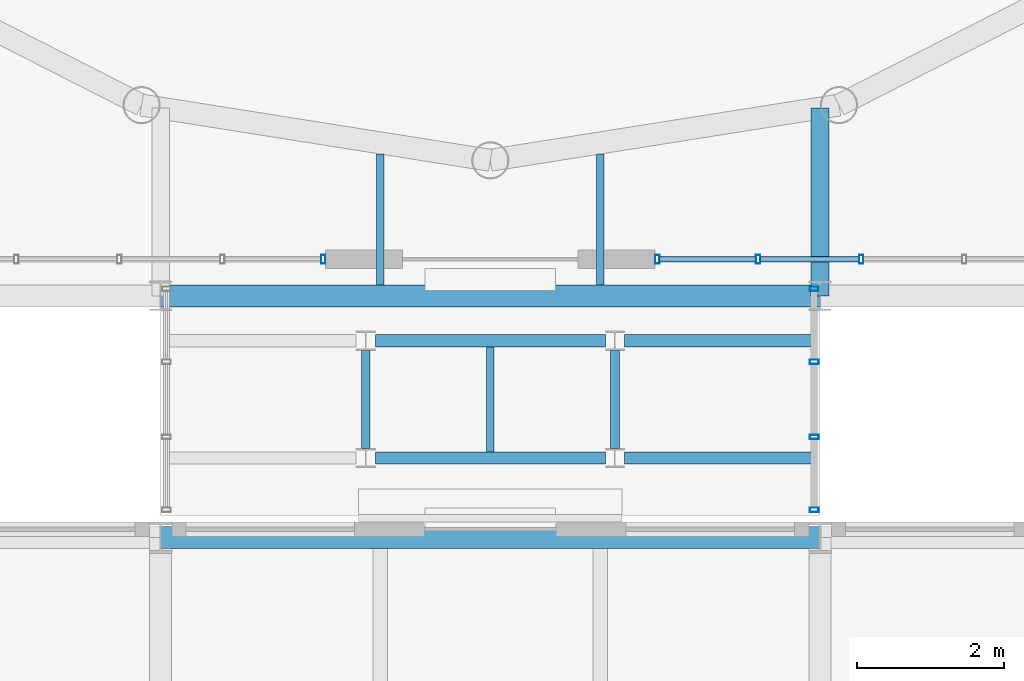
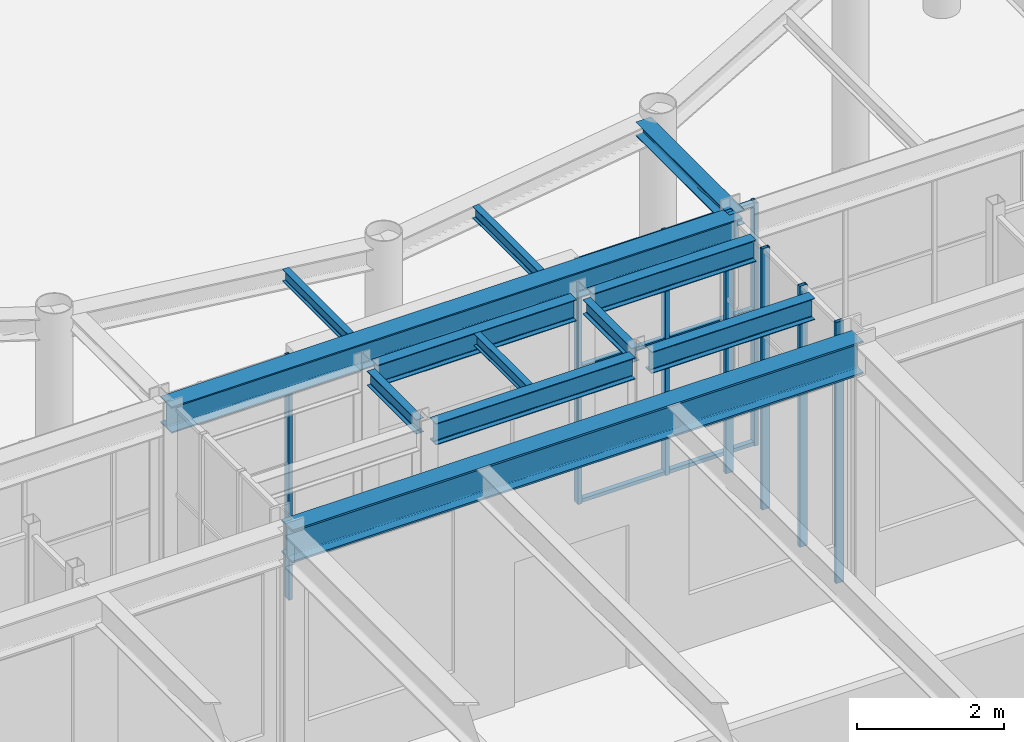
# One storey, part 49 of 149: 14 members, 12 beams, 3 elements without a shape of their own.
"""IFC4 building model written with IfcOpenShell, lengths in metres."""

from ifc_helpers import new_model, si_unit, direction, frame, origin, origin_2d, place, context, subcontext, project, spatial, hollow_rectangle, i_section, extrude, material, layer, layer_set, material_profile, profile_set, type_object, element, aggregate, save


model = new_model("IFC4")

# Units and contexts
model_context = context("Model", 3, precision=1e-05, world=origin(), true_north=direction((0.0, 1.0)))
body_context = subcontext(model_context, "Body", "Model", "MODEL_VIEW")
ifc_project = project(units=[si_unit("LENGTHUNIT", "METRE"), si_unit("AREAUNIT", "SQUARE_METRE"), si_unit("VOLUMEUNIT", "CUBIC_METRE"), si_unit("PLANEANGLEUNIT", "RADIAN"), si_unit("MASSUNIT", "GRAM", prefix="KILO")], contexts=[model_context])

# Site, building, storey
site_placement = place(None, origin())
site = spatial("IfcSite", under=ifc_project, at=site_placement, CompositionType="ELEMENT")
building_placement = place(site_placement, origin())
building = spatial("IfcBuilding", under=site, at=building_placement, Name="Kallimachos Central Library", CompositionType="ELEMENT")
storey_placement = place(building_placement, frame((0.0, 0.0, 9.89990234375)))
storey = spatial("IfcBuildingStorey", under=building, at=storey_placement, Name="L02", CompositionType="ELEMENT", Elevation=9.89990234375)

# Curtain wall, members
ifc_material_1 = material(Name="Aluminium and laminated glass", Category="aluminium")
curtain_wall_type_1 = type_object("IfcCurtainWallType", Name="Link glazed wall", PredefinedType="NOTDEFINED", material=ifc_material_1)
curtain_wall_1_placement = place(storey_placement, origin())
curtain_wall_1 = element("IfcCurtainWall", 1, at=curtain_wall_1_placement, inside=storey, type_object=curtain_wall_type_1, Name="Reading Link glazed wall L02", PredefinedType="NOTDEFINED")
ifc_material_2 = material(Name="Anodised aluminium", Category="aluminium")
ifc_material_profile_1 = material_profile(ifc_material_2, hollow_rectangle(XDim=0.06005859375, YDim=0.1201171875, WallThickness=0.00390625, at=origin_2d()), Name="ALU MULLION 60x120")
ifc_profile_set_1 = profile_set([ifc_material_profile_1], Name="Anodised aluminium")
member_type_1 = type_object("IfcMemberType", Name="ALU MULLION 60x120 mullion", PredefinedType="MULLION", material=ifc_profile_set_1)
member_1_placement = place(storey_placement, frame((92.419921875, 84.22998046875, 0.0), z_axis=(0.0, 0.0, 1.0), x_axis=(0.0, 1.0, 0.0)))
member_1 = element("IfcMember", 2, at=member_1_placement, type_object=member_type_1, Name="CW67 mullion 1", PredefinedType="MULLION", context=body_context, shape_type="SweptSolid", body=[
    extrude(hollow_rectangle(XDim=0.06005859375, YDim=0.1201171875, WallThickness=0.00390625, at=origin_2d()), origin(), (0.0, 0.0, 1.0), 4.35009765625),
])
member_2_placement = place(storey_placement, frame((92.419921875, 85.22509765625, 0.0), z_axis=(0.0, 0.0, 1.0), x_axis=(0.0, 1.0, 0.0)))
member_2 = element("IfcMember", 3, at=member_2_placement, type_object=member_type_1, Name="CW67 mullion 2", PredefinedType="MULLION", context=body_context, shape_type="SweptSolid", body=[
    extrude(hollow_rectangle(XDim=0.06005859375, YDim=0.1201171875, WallThickness=0.00390625, at=origin_2d()), origin(), (0.0, 0.0, 1.0), 4.35009765625),
])
member_3_placement = place(storey_placement, frame((92.419921875, 86.25, 0.0), z_axis=(0.0, 0.0, 1.0), x_axis=(0.0, 1.0, 0.0)))
member_3 = element("IfcMember", 4, at=member_3_placement, type_object=member_type_1, Name="CW67 mullion 3", PredefinedType="MULLION", context=body_context, shape_type="SweptSolid", body=[
    extrude(hollow_rectangle(XDim=0.06005859375, YDim=0.1201171875, WallThickness=0.00390625, at=origin_2d()), origin(), (0.0, 0.0, 1.0), 4.35009765625),
])
member_4_placement = place(storey_placement, frame((92.419921875, 87.2451171875, 0.0), z_axis=(0.0, 0.0, 1.0), x_axis=(0.0, 1.0, 0.0)))
member_4 = element("IfcMember", 5, at=member_4_placement, type_object=member_type_1, Name="CW67 mullion 4", PredefinedType="MULLION", context=body_context, shape_type="SweptSolid", body=[
    extrude(hollow_rectangle(XDim=0.06005859375, YDim=0.1201171875, WallThickness=0.00390625, at=origin_2d()), origin(), (0.0, 0.0, 1.0), 4.35009765625),
])
aggregate(curtain_wall_1, [member_1, member_2, member_3, member_4])

# Curtain wall, member
ifc_material_3 = material(Name="Anodised aluminium and laminated glass", Category="aluminium")
ifc_layer = layer(ifc_material_3, 0.159912109375)
ifc_layer_set = layer_set([ifc_layer], Name="Glass box curtain wall")
curtain_wall_type_2 = type_object("IfcCurtainWallType", Name="Glass box curtain wall", PredefinedType="NOTDEFINED", material=ifc_layer_set)
curtain_wall_2_placement = place(storey_placement, origin())
curtain_wall_2 = element("IfcCurtainWall", 6, at=curtain_wall_2_placement, inside=storey, type_object=curtain_wall_type_2, Name="Glass box curtain wall S L02", PredefinedType="NOTDEFINED")
ifc_material_4 = material(Name="Anodised aluminium", Category="aluminium")
ifc_material_profile_2 = material_profile(ifc_material_4, hollow_rectangle(XDim=0.06005859375, YDim=0.1201171875, WallThickness=0.00390625, at=origin_2d()), Name="ALU MULLION 60x120")
ifc_profile_set_2 = profile_set([ifc_material_profile_2], Name="Anodised aluminium")
member_type_2 = type_object("IfcMemberType", Name="Glass box mullion 60x120", PredefinedType="MULLION", material=ifc_profile_set_2)
member_5_placement = place(storey_placement, frame((85.719970703125, 87.64990234375, 0.0), z_axis=(0.0, 0.0, 1.0), x_axis=(1.0, 0.0, 0.0)))
member_5 = element("IfcMember", 7, at=member_5_placement, type_object=member_type_2, Name="CW12 mullion 9", PredefinedType="MULLION", context=body_context, shape_type="SweptSolid", body=[
    extrude(hollow_rectangle(XDim=0.06005859375, YDim=0.1201171875, WallThickness=0.00390625, at=origin_2d()), origin(), (0.0, 0.0, 1.0), 4.050048828125),
])
aggregate(curtain_wall_2, [member_5])

# Curtain wall, members
curtain_wall_3_placement = place(storey_placement, origin())
curtain_wall_3 = element("IfcCurtainWall", 8, at=curtain_wall_3_placement, inside=storey, type_object=curtain_wall_type_2, Name="Glass box curtain wall S L02", PredefinedType="NOTDEFINED")
member_6_placement = place(storey_placement, frame((90.280029296875, 87.64990234375, 0.0), z_axis=(0.0, 0.0, 1.0), x_axis=(1.0, 0.0, 0.0)))
member_6 = element("IfcMember", 9, at=member_6_placement, type_object=member_type_2, Name="CW13 mullion 1", PredefinedType="MULLION", context=body_context, shape_type="SweptSolid", body=[
    extrude(hollow_rectangle(XDim=0.06005859375, YDim=0.1201171875, WallThickness=0.00390625, at=origin_2d()), origin(), (0.0, 0.0, 1.0), 4.050048828125),
])
member_7_placement = place(storey_placement, frame((91.65625, 87.64990234375, 0.0), z_axis=(0.0, 0.0, 1.0), x_axis=(1.0, 0.0, 0.0)))
member_7 = element("IfcMember", 10, at=member_7_placement, type_object=member_type_2, Name="CW13 mullion 2", PredefinedType="MULLION", context=body_context, shape_type="SweptSolid", body=[
    extrude(hollow_rectangle(XDim=0.06005859375, YDim=0.1201171875, WallThickness=0.00390625, at=origin_2d()), origin(), (0.0, 0.0, 1.0), 4.050048828125),
])
member_8_placement = place(storey_placement, frame((93.0625, 87.64990234375, 0.0), z_axis=(0.0, 0.0, 1.0), x_axis=(1.0, 0.0, 0.0)))
member_8 = element("IfcMember", 11, at=member_8_placement, type_object=member_type_2, Name="CW13 mullion 3", PredefinedType="MULLION", context=body_context, shape_type="SweptSolid", body=[
    extrude(hollow_rectangle(XDim=0.06005859375, YDim=0.1201171875, WallThickness=0.00390625, at=origin_2d()), origin(), (0.0, 0.0, 1.0), 4.050048828125),
])
ifc_material_5 = material(Name="Anodised aluminium", Category="aluminium")
ifc_material_profile_3 = material_profile(ifc_material_5, hollow_rectangle(XDim=0.06005859375, YDim=0.080078125, WallThickness=0.00390625, at=origin_2d()), Name="ALU TRANSOM 60x80")
ifc_profile_set_3 = profile_set([ifc_material_profile_3], Name="Anodised aluminium")
member_type_3 = type_object("IfcMemberType", Name="Glass box transom 60x80", PredefinedType="USERDEFINED", material=ifc_profile_set_3)
member_9_placement = place(storey_placement, frame((90.31005859375, 87.64990234375, 0.030029296875), z_axis=(1.0, 0.0, 0.0), x_axis=(0.0, 0.0, 1.0)))
member_9 = element("IfcMember", 12, at=member_9_placement, type_object=member_type_3, Name="CW13 transom 1.1", ObjectType="TRANSOM", PredefinedType="USERDEFINED", context=body_context, shape_type="SweptSolid", body=[
    extrude(hollow_rectangle(XDim=0.06005859375, YDim=0.080078125, WallThickness=0.00390625, at=origin_2d()), origin(), (0.0, 0.0, 1.0), 1.316162109375),
])
member_10_placement = place(storey_placement, frame((90.31005859375, 87.64990234375, 2.25), z_axis=(1.0, 0.0, 0.0), x_axis=(0.0, 0.0, 1.0)))
member_10 = element("IfcMember", 13, at=member_10_placement, type_object=member_type_3, Name="CW13 transom 1.2", ObjectType="TRANSOM", PredefinedType="USERDEFINED", context=body_context, shape_type="SweptSolid", body=[
    extrude(hollow_rectangle(XDim=0.06005859375, YDim=0.080078125, WallThickness=0.00390625, at=origin_2d()), origin(), (0.0, 0.0, 1.0), 1.316162109375),
])
member_11_placement = place(storey_placement, frame((90.31005859375, 87.64990234375, 4.02001953125), z_axis=(1.0, 0.0, 0.0), x_axis=(0.0, 0.0, 1.0)))
member_11 = element("IfcMember", 14, at=member_11_placement, type_object=member_type_3, Name="CW13 transom 1.3", ObjectType="TRANSOM", PredefinedType="USERDEFINED", context=body_context, shape_type="SweptSolid", body=[
    extrude(hollow_rectangle(XDim=0.06005859375, YDim=0.080078125, WallThickness=0.00390625, at=origin_2d()), origin(), (0.0, 0.0, 1.0), 1.316162109375),
])
member_12_placement = place(storey_placement, frame((91.686279296875, 87.64990234375, 0.030029296875), z_axis=(1.0, 0.0, 0.0), x_axis=(0.0, 0.0, 1.0)))
member_12 = element("IfcMember", 15, at=member_12_placement, type_object=member_type_3, Name="CW13 transom 2.1", ObjectType="TRANSOM", PredefinedType="USERDEFINED", context=body_context, shape_type="SweptSolid", body=[
    extrude(hollow_rectangle(XDim=0.06005859375, YDim=0.080078125, WallThickness=0.00390625, at=origin_2d()), origin(), (0.0, 0.0, 1.0), 1.34619140625),
])
member_13_placement = place(storey_placement, frame((91.686279296875, 87.64990234375, 2.25), z_axis=(1.0, 0.0, 0.0), x_axis=(0.0, 0.0, 1.0)))
member_13 = element("IfcMember", 16, at=member_13_placement, type_object=member_type_3, Name="CW13 transom 2.2", ObjectType="TRANSOM", PredefinedType="USERDEFINED", context=body_context, shape_type="SweptSolid", body=[
    extrude(hollow_rectangle(XDim=0.06005859375, YDim=0.080078125, WallThickness=0.00390625, at=origin_2d()), origin(), (0.0, 0.0, 1.0), 1.34619140625),
])
member_14_placement = place(storey_placement, frame((91.686279296875, 87.64990234375, 4.02001953125), z_axis=(1.0, 0.0, 0.0), x_axis=(0.0, 0.0, 1.0)))
member_14 = element("IfcMember", 17, at=member_14_placement, type_object=member_type_3, Name="CW13 transom 2.3", ObjectType="TRANSOM", PredefinedType="USERDEFINED", context=body_context, shape_type="SweptSolid", body=[
    extrude(hollow_rectangle(XDim=0.06005859375, YDim=0.080078125, WallThickness=0.00390625, at=origin_2d()), origin(), (0.0, 0.0, 1.0), 1.34619140625),
])
aggregate(curtain_wall_3, [member_6, member_7, member_8, member_9, member_10, member_11, member_12, member_13, member_14])

# Beams
ifc_material_6 = material(Name="Steel S355J2", Category="steel")
ifc_material_profile_4 = material_profile(ifc_material_6, i_section(OverallWidth=0.239990234375, OverallDepth=0.22998046875, WebThickness=0.007568359375, FlangeThickness=0.011962890625, FilletRadius=0.02099609375, at=origin_2d()), Name="HEA 240")
ifc_profile_set_4 = profile_set([ifc_material_profile_4], Name="Steel S355J2")
beam_type_1 = type_object("IfcBeamType", Name="HEA 240 beam", PredefinedType="BEAM", material=ifc_profile_set_4)
beam_1_placement = place(storey_placement, frame((92.5, 87.14990234375, 4.235107421875), z_axis=(0.0, 1.0, 0.0), x_axis=(-1.0, 0.0, 0.0)))
element("IfcBeam", 18, at=beam_1_placement, inside=storey, type_object=beam_type_1, Name="V1-BEM-L02-030", PredefinedType="BEAM", context=body_context, shape_type="SweptSolid", body=[
    extrude(i_section(OverallWidth=0.239990234375, OverallDepth=0.22998046875, WebThickness=0.007568359375, FlangeThickness=0.011962890625, FilletRadius=0.02099609375, at=origin_2d()), origin(), (0.0, 0.0, 1.0), 2.562744140625),
])
ifc_material_7 = material(Name="Steel S355J2", Category="steel")
ifc_material_profile_5 = material_profile(ifc_material_7, i_section(OverallWidth=0.300048828125, OverallDepth=0.43994140625, WebThickness=0.011474609375, FlangeThickness=0.02099609375, FilletRadius=0.027099609375, at=origin_2d()), Name="HEA 450")
ifc_profile_set_5 = profile_set([ifc_material_profile_5], Name="Steel S355J2")
beam_type_2 = type_object("IfcBeamType", Name="HEA 450 beam", PredefinedType="BEAM", material=ifc_profile_set_5)
beam_2_placement = place(storey_placement, frame((83.5, 87.14990234375, 4.130126953125), z_axis=(1.0, 0.0, 0.0), x_axis=(0.0, 1.0, 0.0)))
element("IfcBeam", 19, at=beam_2_placement, inside=storey, type_object=beam_type_2, Name="V1-BEM-L02-040", PredefinedType="BEAM", context=body_context, shape_type="SweptSolid", body=[
    extrude(i_section(OverallWidth=0.300048828125, OverallDepth=0.43994140625, WebThickness=0.011474609375, FlangeThickness=0.02099609375, FilletRadius=0.027099609375, at=origin_2d()), origin(), (0.0, 0.0, 1.0), 9.0),
])
ifc_material_8 = material(Name="Steel S355J2", Category="steel")
ifc_material_profile_6 = material_profile(ifc_material_8, i_section(OverallWidth=0.300048828125, OverallDepth=0.550048828125, WebThickness=0.014892578125, FlangeThickness=0.029052734375, FilletRadius=0.027099609375, at=origin_2d()), Name="HEB 550")
ifc_profile_set_6 = profile_set([ifc_material_profile_6], Name="Steel S355J2")
beam_type_3 = type_object("IfcBeamType", Name="HEB 550 beam", PredefinedType="BEAM", material=ifc_profile_set_6)
beam_3_placement = place(storey_placement, frame((83.5, 83.85009765625, 4.025146484375), z_axis=(1.0, 0.0, 0.0), x_axis=(0.0, 1.0, 0.0)))
element("IfcBeam", 20, at=beam_3_placement, inside=storey, type_object=beam_type_3, Name="V4-BEM-L02-006", PredefinedType="BEAM", context=body_context, shape_type="SweptSolid", body=[
    extrude(i_section(OverallWidth=0.300048828125, OverallDepth=0.550048828125, WebThickness=0.014892578125, FlangeThickness=0.029052734375, FilletRadius=0.027099609375, at=origin_2d()), origin(), (0.0, 0.0, 1.0), 9.0),
])
ifc_material_9 = material(Name="Steel S355J2", Category="steel")
ifc_material_profile_7 = material_profile(ifc_material_9, i_section(OverallWidth=0.10009765625, OverallDepth=0.199951171875, WebThickness=0.005615234375, FlangeThickness=0.008544921875, FilletRadius=0.011962890625, at=origin_2d()), Name="IPE 200")
ifc_profile_set_7 = profile_set([ifc_material_profile_7], Name="Steel S355J2")
beam_type_4 = type_object("IfcBeamType", Name="IPE 200 beam", PredefinedType="BEAM", material=ifc_profile_set_7)
for number, where, z_axis, x_axis, name in (
    (21, (86.5, 87.300048828125, 4.25), (0.0, 1.0, 0.0), (-1.0, 0.0, 0.0), "V1-BEM-L02-057"),
    (22, (89.5, 87.300048828125, 4.25), (0.0, 1.0, 0.0), (-1.0, 0.0, 0.0), "V1-BEM-L02-059"),
):
    element("IfcBeam", number, at=place(storey_placement, frame(where, z_axis=z_axis, x_axis=x_axis)), inside=storey, type_object=beam_type_4, Name=name, PredefinedType="BEAM", context=body_context, shape_type="SweptSolid", body=[
        extrude(i_section(OverallWidth=0.10009765625, OverallDepth=0.199951171875, WebThickness=0.005615234375, FlangeThickness=0.008544921875, FilletRadius=0.011962890625, at=origin_2d()), origin(), (0.0, 0.0, 1.0), 1.78564453125),
    ])
beam_4_placement = place(storey_placement, frame((88.0, 85.0224609375, 4.25), z_axis=(0.0, 1.0, 0.0), x_axis=(-1.0, 0.0, 0.0)))
element("IfcBeam", 23, at=beam_4_placement, inside=storey, type_object=beam_type_4, Name="links-BEM-L02-007", PredefinedType="BEAM", context=body_context, shape_type="SweptSolid", body=[
    extrude(i_section(OverallWidth=0.10009765625, OverallDepth=0.199951171875, WebThickness=0.005615234375, FlangeThickness=0.008544921875, FilletRadius=0.011962890625, at=origin_2d()), origin(), (0.0, 0.0, 1.0), 1.429931640625),
])
ifc_material_10 = material(Name="Steel S355J2", Category="steel")
ifc_material_profile_8 = material_profile(ifc_material_10, i_section(OverallWidth=0.1201171875, OverallDepth=0.239990234375, WebThickness=0.006103515625, FlangeThickness=0.009765625, FilletRadius=0.014892578125, at=origin_2d()), Name="IPE 240")
ifc_profile_set_8 = profile_set([ifc_material_profile_8], Name="Steel S355J2")
beam_type_5 = type_object("IfcBeamType", Name="IPE 240 beam", PredefinedType="BEAM", material=ifc_profile_set_8)
for number, where, z_axis, x_axis, name in (
    (24, (86.300048828125, 85.0673828125, 4.22998046875), (0.0, 1.0, 0.0), (-1.0, 0.0, 0.0), "links-BEM-L02-008"),
    (25, (89.699951171875, 85.0673828125, 4.22998046875), (0.0, 1.0, 0.0), (-1.0, 0.0, 0.0), "links-BEM-L02-009"),
):
    element("IfcBeam", number, at=place(storey_placement, frame(where, z_axis=z_axis, x_axis=x_axis)), inside=storey, type_object=beam_type_5, Name=name, PredefinedType="BEAM", context=body_context, shape_type="SweptSolid", body=[
        extrude(i_section(OverallWidth=0.1201171875, OverallDepth=0.239990234375, WebThickness=0.006103515625, FlangeThickness=0.009765625, FilletRadius=0.014892578125, at=origin_2d()), origin(), (0.0, 0.0, 1.0), 1.340087890625),
    ])
ifc_material_11 = material(Name="Steel S355J2", Category="steel")
ifc_material_profile_9 = material_profile(ifc_material_11, i_section(OverallWidth=0.169921875, OverallDepth=0.360107421875, WebThickness=0.008056640625, FlangeThickness=0.0126953125, FilletRadius=0.01806640625, at=origin_2d()), Name="IPE 360")
ifc_profile_set_9 = profile_set([ifc_material_profile_9], Name="Steel S355J2")
beam_type_6 = type_object("IfcBeamType", Name="IPE 360 beam", PredefinedType="BEAM", material=ifc_profile_set_9)
beam_5_placement = place(storey_placement, frame((86.429931640625, 84.9375, 4.170166015625), z_axis=(1.0, 0.0, 0.0), x_axis=(0.0, 1.0, 0.0)))
element("IfcBeam", 26, at=beam_5_placement, inside=storey, type_object=beam_type_6, Name="links-BEM-L02-002", PredefinedType="BEAM", context=body_context, shape_type="SweptSolid", body=[
    extrude(i_section(OverallWidth=0.169921875, OverallDepth=0.360107421875, WebThickness=0.008056640625, FlangeThickness=0.0126953125, FilletRadius=0.01806640625, at=origin_2d()), origin(), (0.0, 0.0, 1.0), 3.14013671875),
])
beam_6_placement = place(storey_placement, frame((89.830078125, 84.9375, 4.170166015625), z_axis=(1.0, 0.0, 0.0), x_axis=(0.0, 1.0, 0.0)))
element("IfcBeam", 27, at=beam_6_placement, inside=storey, type_object=beam_type_6, Name="links-BEM-L02-003", PredefinedType="BEAM", context=body_context, shape_type="SweptSolid", body=[
    extrude(i_section(OverallWidth=0.169921875, OverallDepth=0.360107421875, WebThickness=0.008056640625, FlangeThickness=0.0126953125, FilletRadius=0.01806640625, at=origin_2d()), origin(), (0.0, 0.0, 1.0), 2.56982421875),
])
beam_7_placement = place(storey_placement, frame((86.429931640625, 86.53759765625, 4.170166015625), z_axis=(1.0, 0.0, 0.0), x_axis=(0.0, 1.0, 0.0)))
element("IfcBeam", 28, at=beam_7_placement, inside=storey, type_object=beam_type_6, Name="links-BEM-L02-005", PredefinedType="BEAM", context=body_context, shape_type="SweptSolid", body=[
    extrude(i_section(OverallWidth=0.169921875, OverallDepth=0.360107421875, WebThickness=0.008056640625, FlangeThickness=0.0126953125, FilletRadius=0.01806640625, at=origin_2d()), origin(), (0.0, 0.0, 1.0), 3.14013671875),
])
beam_8_placement = place(storey_placement, frame((89.830078125, 86.53759765625, 4.170166015625), z_axis=(1.0, 0.0, 0.0), x_axis=(0.0, 1.0, 0.0)))
element("IfcBeam", 29, at=beam_8_placement, inside=storey, type_object=beam_type_6, Name="links-BEM-L02-006", PredefinedType="BEAM", context=body_context, shape_type="SweptSolid", body=[
    extrude(i_section(OverallWidth=0.169921875, OverallDepth=0.360107421875, WebThickness=0.008056640625, FlangeThickness=0.0126953125, FilletRadius=0.01806640625, at=origin_2d()), origin(), (0.0, 0.0, 1.0), 2.56982421875),
])

save(model, "model.ifc")
